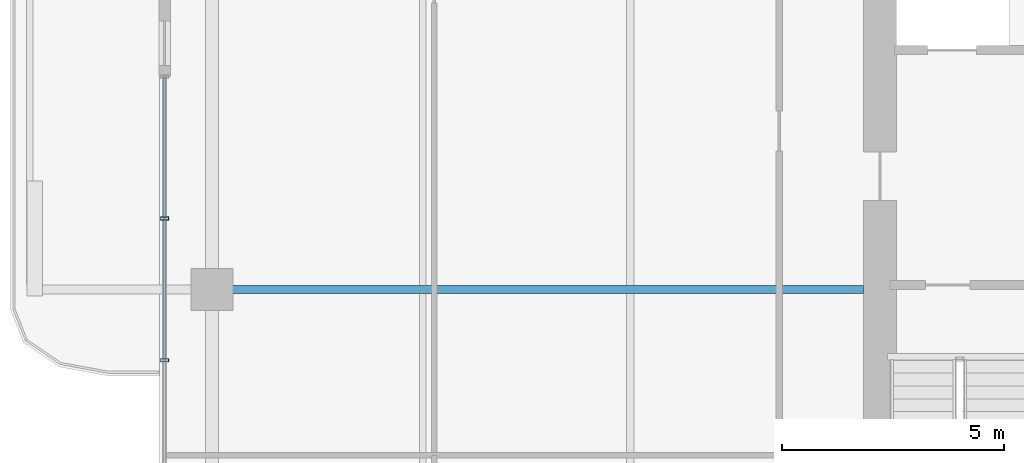
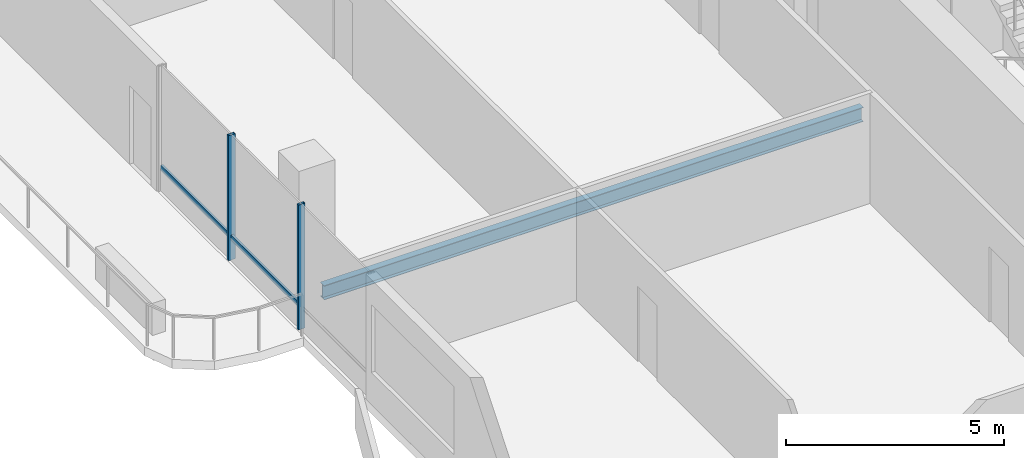
# One storey, part 6 of 25: 4 members, 1 beam, 1 element without a shape of its own.
"""IFC4 building model written with IfcOpenShell, lengths in metres."""

from ifc_helpers import new_model, si_unit, direction, frame, origin, origin_2d, place, context, subcontext, project, spatial, hollow_rectangle, i_section, extrude, material, layer, layer_set, material_profile, profile_set, type_object, element, aggregate, save


model = new_model("IFC4")

# Units and contexts
model_context = context("Model", 3, precision=1e-05, world=origin(), true_north=direction((0.0, 1.0)))
body_context = subcontext(model_context, "Body", "Model", "MODEL_VIEW")
ifc_project = project(units=[si_unit("LENGTHUNIT", "METRE"), si_unit("AREAUNIT", "SQUARE_METRE"), si_unit("VOLUMEUNIT", "CUBIC_METRE"), si_unit("PLANEANGLEUNIT", "RADIAN"), si_unit("MASSUNIT", "GRAM", prefix="KILO")], contexts=[model_context])

# Site, building, storey
site_placement = place(None, origin())
site = spatial("IfcSite", under=ifc_project, at=site_placement, CompositionType="ELEMENT")
building_placement = place(site_placement, origin())
building = spatial("IfcBuilding", under=site, at=building_placement, Name="Belovzor Exchange Tower", CompositionType="ELEMENT")
storey_placement = place(building_placement, frame((0.0, 0.0, 254.10009765625)))
storey = spatial("IfcBuildingStorey", under=building, at=storey_placement, Name="L63", CompositionType="ELEMENT", Elevation=254.10009765625)

# Curtain wall, members
ifc_material_1 = material(Name="Anodised Aluminium Framing", Category="aluminium")
ifc_layer = layer(ifc_material_1, 0.179931640625)
ifc_layer_set = layer_set([ifc_layer], Name="Anodised Aluminium Framing")
curtain_wall_type = type_object("IfcCurtainWallType", Name="Recessed Loggia Low-Iron Triple-Glazed Curtain Wall", PredefinedType="NOTDEFINED", material=ifc_layer_set)
curtain_wall_placement = place(storey_placement, origin())
curtain_wall = element("IfcCurtainWall", 1, at=curtain_wall_placement, inside=storey, type_object=curtain_wall_type, Name="CW3 Recessed Loggia Low-Iron Triple-Glazed Curtain Wall L63", PredefinedType="NOTDEFINED")
ifc_material_2 = material(Name="Steel S355", Category="steel")
ifc_material_profile_1 = material_profile(ifc_material_2, hollow_rectangle(XDim=0.074951171875, YDim=0.179931640625, WallThickness=0.0048828125, at=origin_2d()))
ifc_profile_set_1 = profile_set([ifc_material_profile_1], Name="Steel S355")
member_type_1 = type_object("IfcMemberType", Name="Thermally Broken Curtain Wall Mullion 180x75", PredefinedType="MULLION", material=ifc_profile_set_1)
member_1_placement = place(storey_placement, frame((4.030029296875, 27.199951171875, 0.0), z_axis=(0.0, 0.0, 1.0), x_axis=(0.0, 1.0, 0.0)))
member_1 = element("IfcMember", 2, at=member_1_placement, type_object=member_type_1, Name="CW-M180 Curtain Wall Mullion 2", PredefinedType="MULLION", context=body_context, shape_type="SweptSolid", body=[
    extrude(hollow_rectangle(XDim=0.074951171875, YDim=0.179931640625, WallThickness=0.0048828125, at=origin_2d()), origin(), (0.0, 0.0, 1.0), 3.5),
])
member_2_placement = place(storey_placement, frame((4.030029296875, 30.39990234375, 0.0), z_axis=(0.0, 0.0, 1.0), x_axis=(0.0, 1.0, 0.0)))
member_2 = element("IfcMember", 3, at=member_2_placement, type_object=member_type_1, Name="CW-M180 Curtain Wall Mullion 3", PredefinedType="MULLION", context=body_context, shape_type="SweptSolid", body=[
    extrude(hollow_rectangle(XDim=0.074951171875, YDim=0.179931640625, WallThickness=0.0048828125, at=origin_2d()), origin(), (0.0, 0.0, 1.0), 3.5),
])
ifc_material_3 = material(Name="Steel S355", Category="steel")
ifc_material_profile_2 = material_profile(ifc_material_3, hollow_rectangle(XDim=0.06005859375, YDim=0.14990234375, WallThickness=0.00390625, at=origin_2d()))
ifc_profile_set_2 = profile_set([ifc_material_profile_2], Name="Steel S355")
member_type_2 = type_object("IfcMemberType", Name="Thermally Broken Curtain Wall Transom 150x60", PredefinedType="USERDEFINED", material=ifc_profile_set_2)
member_3_placement = place(storey_placement, frame((4.030029296875, 27.2080078125, 0.6298828125), z_axis=(0.0, 1.0, 0.0), x_axis=(-1.0, 0.0, 0.0)))
member_3 = element("IfcMember", 4, at=member_3_placement, type_object=member_type_2, Name="CW-T150 Curtain Wall Transom 2", ObjectType="TRANSOM", PredefinedType="USERDEFINED", context=body_context, shape_type="SweptSolid", body=[
    extrude(hollow_rectangle(XDim=0.06005859375, YDim=0.14990234375, WallThickness=0.00390625, at=origin_2d()), origin(), (0.0, 0.0, 1.0), 3.18408203125),
])
member_4_placement = place(storey_placement, frame((4.030029296875, 30.407958984375, 0.6298828125), z_axis=(0.0, 1.0, 0.0), x_axis=(-1.0, 0.0, 0.0)))
member_4 = element("IfcMember", 5, at=member_4_placement, type_object=member_type_2, Name="CW-T150 Curtain Wall Transom 3", ObjectType="TRANSOM", PredefinedType="USERDEFINED", context=body_context, shape_type="SweptSolid", body=[
    extrude(hollow_rectangle(XDim=0.06005859375, YDim=0.14990234375, WallThickness=0.00390625, at=origin_2d()), origin(), (0.0, 0.0, 1.0), 3.18408203125),
])
aggregate(curtain_wall, [member_1, member_2, member_3, member_4])

# Beam
ifc_material_4 = material(Name="Steel S355", Category="steel")
ifc_material_profile_3 = material_profile(ifc_material_4, i_section(OverallWidth=0.179931640625, OverallDepth=0.39990234375, WebThickness=0.008544921875, FlangeThickness=0.013427734375, at=origin_2d()))
ifc_profile_set_3 = profile_set([ifc_material_profile_3], Name="Steel S355")
beam_type = type_object("IfcBeamType", Name="Zone 5-6 Radial Composite Floor Beam IPE 400", PredefinedType="BEAM", material=ifc_profile_set_3)
beam_placement = place(storey_placement, frame((19.800048828125, 28.800048828125, -0.4501953125), z_axis=(-1.0, 0.0, 0.0), x_axis=(0.0, -1.0, 0.0)))
element("IfcBeam", 6, at=beam_placement, inside=storey, type_object=beam_type, Name="FB-400 Zone 5-6 Radial Composite Floor Beam IPE 400", PredefinedType="BEAM", context=body_context, shape_type="SweptSolid", body=[
    extrude(i_section(OverallWidth=0.179931640625, OverallDepth=0.39990234375, WebThickness=0.008544921875, FlangeThickness=0.013427734375, at=origin_2d()), origin(), (0.0, 0.0, 1.0), 14.281982421875),
])

save(model, "model.ifc")
